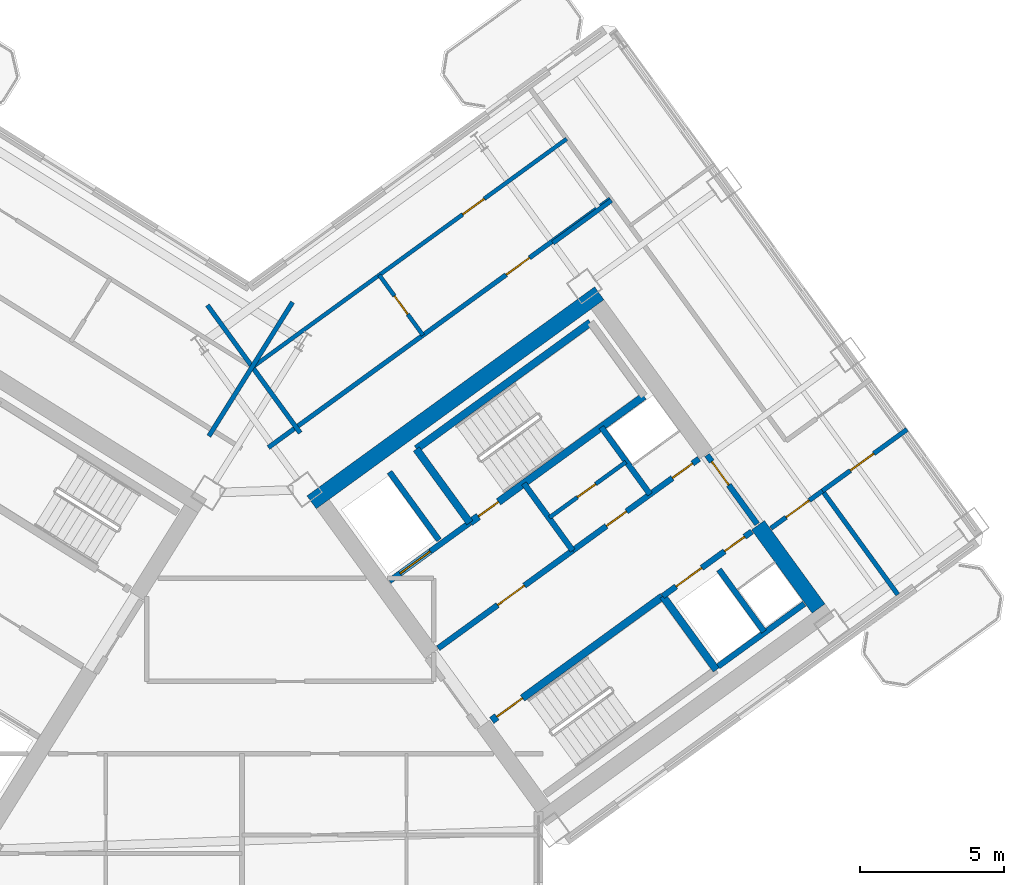
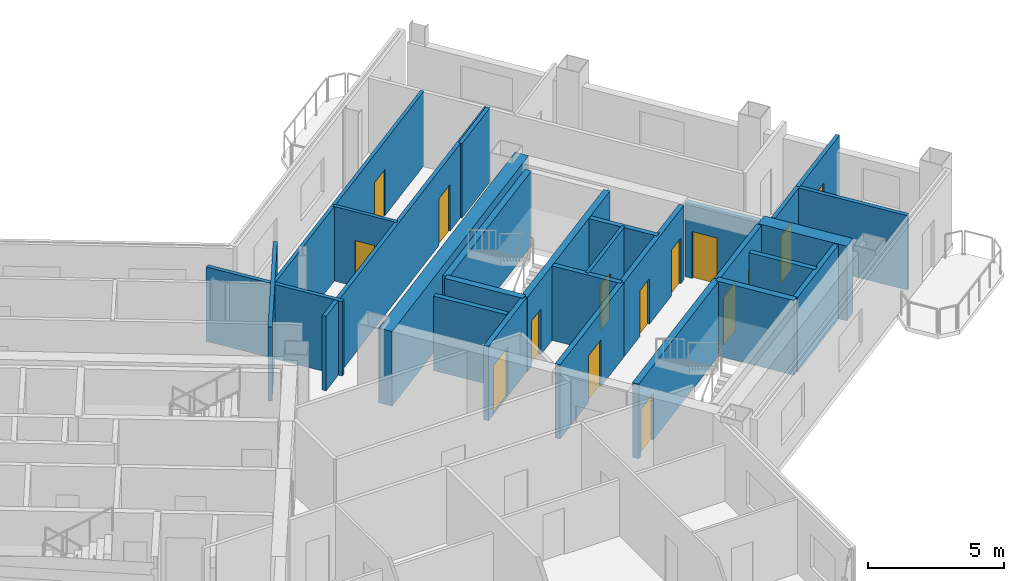
# One storey, part 14 of 21: 27 walls, 15 doors, 15 openings.
"""IFC4 building model written with IfcOpenShell, lengths in metres."""

from ifc_helpers import new_model, si_unit, direction, frame, frame_2d, origin, place, context, subcontext, project, spatial, rectangle, extrude, source, transform, mapped, material, layer, layer_set, type_object, element, fill, save


model = new_model("IFC4")

# Units and contexts
model_context = context("Model", 3, precision=1e-05, world=origin(), true_north=direction((0.0, 1.0)))
body_context = subcontext(model_context, "Body", "Model", "MODEL_VIEW")
ifc_project = project(units=[si_unit("LENGTHUNIT", "METRE"), si_unit("AREAUNIT", "SQUARE_METRE"), si_unit("VOLUMEUNIT", "CUBIC_METRE"), si_unit("PLANEANGLEUNIT", "RADIAN"), si_unit("MASSUNIT", "GRAM", prefix="KILO")], contexts=[model_context])

# Site, building, storey
site_placement = place(None, origin())
site = spatial("IfcSite", under=ifc_project, at=site_placement, CompositionType="ELEMENT")
building_placement = place(site_placement, origin())
building = spatial("IfcBuilding", under=site, at=building_placement, Name="Tlacorven Tower", CompositionType="ELEMENT")
storey_placement = place(building_placement, frame((0.0, 0.0, 119.699951171875)))
storey = spatial("IfcBuildingStorey", under=building, at=storey_placement, Name="L30", CompositionType="ELEMENT", Elevation=119.699951171875)

# Walls
ifc_material_1 = material(Name="Concrete C60/75", Category="concrete")
ifc_layer_1 = layer(ifc_material_1, 0.550048828125)
ifc_layer_set_1 = layer_set([ifc_layer_1], Name="Concrete C60/75")
wall_type_1 = type_object("IfcWallType", Name="WL-COR-550", PredefinedType="SHEAR", material=ifc_layer_set_1)
wall_1_placement = place(storey_placement, frame((44.364990234375, 24.142333984375, 0.0), z_axis=(0.0, 0.0, 1.0), x_axis=(0.809024304885, 0.587775190107, 0.0)))
element("IfcWall", 1, at=wall_1_placement, inside=storey, type_object=wall_type_1, Name="L30 E core shear wall S2", PredefinedType="SHEAR", context=body_context, shape_type="SweptSolid", body=[
    extrude(rectangle(XDim=12.340087890625, YDim=0.550048828125, at=frame_2d((6.169921875, 0.0))), origin(), (0.0, 0.0, 1.0), 3.35009765625),
])
wall_2_placement = place(storey_placement, frame((61.9580078125, 20.453857421875, 0.0), z_axis=(0.0, 0.0, 1.0), x_axis=(-0.587802113096, 0.809004744015, 0.0)))
element("IfcWall", 2, at=wall_2_placement, inside=storey, type_object=wall_type_1, Name="L30 E core end wall E2.1", PredefinedType="SHEAR", context=body_context, shape_type="SweptSolid", body=[
    extrude(rectangle(XDim=3.574951171875, YDim=0.550048828125, at=frame_2d((1.78759765625, 0.0))), origin(), (0.0, 0.0, 1.0), 3.35009765625),
])
ifc_material_2 = material(Name="Gypsum plasterboard acoustic partition", Category="gypsum")
ifc_layer_2 = layer(ifc_material_2, 0.159912109375)
ifc_layer_set_2 = layer_set([ifc_layer_2], Name="Gypsum plasterboard acoustic partition")
wall_type_2 = type_object("IfcWallType", Name="WL-DEM-160", PredefinedType="PARTITIONING", material=ifc_layer_set_2)
wall_3_placement = place(storey_placement, frame((43.70361328125, 31.086181640625, 0.0), z_axis=(0.0, 0.0, 1.0), x_axis=(-0.529906828443, -0.848055866774, 0.0)))
element("IfcWall", 3, at=wall_3_placement, inside=storey, type_object=wall_type_2, Name="L30 WC West Throat Wall", PredefinedType="PARTITIONING", context=body_context, shape_type="SweptSolid", body=[
    extrude(rectangle(XDim=5.479736328125, YDim=0.159912109375, at=frame_2d((2.73974609375, 0.0))), origin(), (0.0, 0.0, 1.0), 3.340087890625),
])

# Wall, opening, door
wall_4_placement = place(storey_placement, frame((60.306884765625, 23.240478515625, 0.0), z_axis=(0.0, 0.0, 1.0), x_axis=(0.80898466188, 0.58782975158, 0.0)))
wall_4 = element("IfcWall", 4, at=wall_4_placement, inside=storey, type_object=wall_type_2, Name="L30 partition 87", PredefinedType="PARTITIONING", context=body_context, shape_type="SweptSolid", body=[
    extrude(rectangle(XDim=2.207763671875, YDim=0.159912109375, at=frame_2d((1.10400390625, 0.0))), origin(), (0.0, 0.0, 1.0), 3.340087890625),
])
opening_1_placement = place(wall_4_placement, frame((0.64794921875, 0.0, 0.0)))
opening_1 = element("IfcOpeningElement", 5, at=opening_1_placement, cuts=wall_4, Name="Opening D11", PredefinedType="OPENING", context=body_context, shape_type="SweptSolid", body=[
    extrude(rectangle(XDim=1.0, YDim=2.10009765625, at=frame_2d((0.5, 1.050048828125))), frame((0.0, 0.08984375, 0.0), z_axis=(0.0, -1.0, 0.0), x_axis=(1.0, 0.0, 0.0)), (0.0, 0.0, 1.0), 0.179931640625),
])
ifc_material_3 = material(Name="Fire-rated steel door assembly", Category="steel")
door_type_1 = type_object("IfcDoorType", Name="DR-FLT-FD60-1000", OperationType="NOTDEFINED", PredefinedType="DOOR", material=ifc_material_3)
shared_shape_1 = source(origin(), body_context, "Body", "SweptSolid", [
    extrude(rectangle(XDim=1.0, YDim=2.10009765625, at=frame_2d((0.5, 1.050048828125))), frame((0.0, 0.02490234375, 0.0), z_axis=(0.0, -1.0, 0.0), x_axis=(1.0, 0.0, 0.0)), (0.0, 0.0, 1.0), 0.050048828125),
])
door_1_placement = place(opening_1_placement, frame((1.0, 0.0, 0.0), z_axis=(0.0, 0.0, 1.0), x_axis=(-1.0, 0.0, 0.0)))
door_1 = element("IfcDoor", 6, at=door_1_placement, inside=storey, type_object=door_type_1, Name="L30 door 056", OperationType="SINGLE_SWING_LEFT", OverallHeight=2.10009765625, OverallWidth=1.0, PredefinedType="DOOR", context=body_context, shape_type="MappedRepresentation", body=[
    mapped(shared_shape_1, transform((0.0, 0.0, 0.0), scale=1.0)),
])
fill(opening_1, door_1)

# Walls
wall_5_placement = place(storey_placement, frame((52.73876953125, 33.143310546875, 0.0), z_axis=(0.0, 0.0, 1.0), x_axis=(0.809000999347, 0.58780726693, 0.0)))
element("IfcWall", 7, at=wall_5_placement, inside=storey, type_object=wall_type_2, Name="L30 partition 88", PredefinedType="PARTITIONING", context=body_context, shape_type="SweptSolid", body=[
    extrude(rectangle(XDim=2.510009765625, YDim=0.159912109375, at=frame_2d((1.2548828125, 0.0))), origin(), (0.0, 0.0, 1.0), 3.340087890625),
])
wall_6_placement = place(storey_placement, frame((64.708740234375, 20.93798828125, 0.0), z_axis=(0.0, 0.0, 1.0), x_axis=(-0.587773666605, 0.809025411743, 0.0)))
element("IfcWall", 8, at=wall_6_placement, inside=storey, type_object=wall_type_2, Name="L30 partition 89", PredefinedType="PARTITIONING", context=body_context, shape_type="SweptSolid", body=[
    extrude(rectangle(XDim=4.4501953125, YDim=0.159912109375, at=frame_2d((2.22509765625, 0.0))), origin(), (0.0, 0.0, 1.0), 3.340087890625),
])

# Wall, opening, door
wall_7_placement = place(storey_placement, frame((62.093017578125, 24.538330078125, 0.0), z_axis=(0.0, 0.0, 1.0), x_axis=(0.809035546126, 0.58775971715, 0.0)))
wall_7 = element("IfcWall", 9, at=wall_7_placement, inside=storey, type_object=wall_type_2, Name="L30 partition 92", PredefinedType="PARTITIONING", context=body_context, shape_type="SweptSolid", body=[
    extrude(rectangle(XDim=3.6298828125, YDim=0.159912109375, at=frame_2d((1.81494140625, 0.0))), origin(), (0.0, 0.0, 1.0), 3.340087890625),
])
opening_2_placement = place(wall_7_placement, frame((1.199951171875, 0.0, 0.0)))
opening_2 = element("IfcOpeningElement", 10, at=opening_2_placement, cuts=wall_7, Name="Opening D11", PredefinedType="OPENING", context=body_context, shape_type="SweptSolid", body=[
    extrude(rectangle(XDim=1.0, YDim=2.10009765625, at=frame_2d((0.5, 1.050048828125))), frame((0.0, 0.08984375, 0.0), z_axis=(0.0, -1.0, 0.0), x_axis=(1.0, 0.0, 0.0)), (0.0, 0.0, 1.0), 0.179931640625),
])
door_2_placement = place(opening_2_placement, frame((1.0, 0.0, 0.0), z_axis=(0.0, 0.0, 1.0), x_axis=(-1.0, 0.0, 0.0)))
door_2 = element("IfcDoor", 11, at=door_2_placement, inside=storey, type_object=door_type_1, Name="L30 door 060", OperationType="SINGLE_SWING_LEFT", OverallHeight=2.10009765625, OverallWidth=1.0, PredefinedType="DOOR", context=body_context, shape_type="MappedRepresentation", body=[
    mapped(shared_shape_1, transform((0.0, 0.0, 0.0), scale=1.0)),
])
fill(opening_2, door_2)

wall_8_placement = place(storey_placement, frame((42.86572265625, 26.04443359375, 0.0), z_axis=(0.0, 0.0, 1.0), x_axis=(0.809020254154, 0.587780765566, 0.0)))
wall_8 = element("IfcWall", 12, at=wall_8_placement, inside=storey, type_object=wall_type_2, Name="L30 partition 95", PredefinedType="PARTITIONING", context=body_context, shape_type="SweptSolid", body=[
    extrude(rectangle(XDim=14.670166015625, YDim=0.159912109375, at=frame_2d((7.3349609375, 0.0))), origin(), (0.0, 0.0, 1.0), 3.340087890625),
])
opening_3_placement = place(wall_8_placement, frame((10.199951171875, 0.0, 0.0)))
opening_3 = element("IfcOpeningElement", 13, at=opening_3_placement, cuts=wall_8, Name="Opening D11", PredefinedType="OPENING", context=body_context, shape_type="SweptSolid", body=[
    extrude(rectangle(XDim=1.0, YDim=2.10009765625, at=frame_2d((0.5, 1.050048828125))), frame((0.0, 0.08984375, 0.0), z_axis=(0.0, -1.0, 0.0), x_axis=(1.0, 0.0, 0.0)), (0.0, 0.0, 1.0), 0.179931640625),
])
door_3_placement = place(opening_3_placement, origin())
door_3 = element("IfcDoor", 14, at=door_3_placement, inside=storey, type_object=door_type_1, Name="L30 door 061", OperationType="SINGLE_SWING_RIGHT", OverallHeight=2.10009765625, OverallWidth=1.0, PredefinedType="DOOR", context=body_context, shape_type="MappedRepresentation", body=[
    mapped(shared_shape_1, transform((0.0, 0.0, 0.0), scale=1.0)),
])
fill(opening_3, door_3)

# Wall
wall_9_placement = place(storey_placement, frame((43.969482421875, 26.549560546875, 0.0), z_axis=(0.0, 0.0, 1.0), x_axis=(-0.587776919386, 0.80902304852, 0.0)))
element("IfcWall", 15, at=wall_9_placement, inside=storey, type_object=wall_type_2, Name="L30 EC West Throat Wall", PredefinedType="PARTITIONING", context=body_context, shape_type="SweptSolid", body=[
    extrude(rectangle(XDim=5.47998046875, YDim=0.159912109375, at=frame_2d((2.739990234375, 0.0))), origin(), (0.0, 0.0, 1.0), 3.340087890625),
])

# Wall, opening, door
ifc_material_4 = material(Name="Moisture-resistant gypsum plumbing wall", Category="gypsum")
ifc_layer_3 = layer(ifc_material_4, 0.139892578125)
ifc_layer_set_3 = layer_set([ifc_layer_3], Name="Moisture-resistant gypsum plumbing wall")
wall_type_3 = type_object("IfcWallType", Name="WL-PLM-140", PredefinedType="PLUMBINGWALL", material=ifc_layer_set_3)
wall_10_placement = place(storey_placement, frame((52.617919921875, 23.612060546875, 0.0), z_axis=(0.0, 0.0, 1.0), x_axis=(0.809009587469, 0.587795446889, 0.0)))
wall_10 = element("IfcWall", 16, at=wall_10_placement, inside=storey, type_object=wall_type_3, Name="L30 partition 41", PredefinedType="PLUMBINGWALL", context=body_context, shape_type="SweptSolid", body=[
    extrude(rectangle(XDim=3.280029296875, YDim=0.139892578125, at=frame_2d((1.64013671875, 0.0))), origin(), (0.0, 0.0, 1.0), 3.340087890625),
])
opening_4_placement = place(wall_10_placement, frame((1.199951171875, 0.0, 0.0)))
opening_4 = element("IfcOpeningElement", 17, at=opening_4_placement, cuts=wall_10, Name="Opening D22", PredefinedType="OPENING", context=body_context, shape_type="SweptSolid", body=[
    extrude(rectangle(XDim=0.780029296875, YDim=2.050048828125, at=frame_2d((0.39013671875, 1.02490234375))), frame((0.0, 0.080078125, 0.0), z_axis=(0.0, -1.0, 0.0), x_axis=(1.0, 0.0, 0.0)), (0.0, 0.0, 1.0), 0.159912109375),
])
ifc_material_5 = material(Name="Powder-coated aluminium and timber door", Category="wood")
door_type_2 = type_object("IfcDoorType", Name="DR-INT-WET-0780", OperationType="NOTDEFINED", PredefinedType="DOOR", material=ifc_material_5)
shared_shape_2 = source(origin(), body_context, "Body", "SweptSolid", [
    extrude(rectangle(XDim=0.780029296875, YDim=2.050048828125, at=frame_2d((0.39013671875, 1.02490234375))), frame((0.0, 0.02490234375, 0.0), z_axis=(0.0, -1.0, 0.0), x_axis=(1.0, 0.0, 0.0)), (0.0, 0.0, 1.0), 0.050048828125),
])
door_4_placement = place(opening_4_placement, origin())
door_4 = element("IfcDoor", 18, at=door_4_placement, inside=storey, type_object=door_type_2, Name="L30 door 019", OperationType="SINGLE_SWING_LEFT", OverallHeight=2.050048828125, OverallWidth=0.780029296875, PredefinedType="DOOR", context=body_context, shape_type="MappedRepresentation", body=[
    mapped(shared_shape_2, transform((0.0, 0.0, 0.0), scale=1.0)),
])
fill(opening_4, door_4)

wall_11_placement = place(storey_placement, frame((42.376708984375, 28.878173828125, 0.0), z_axis=(0.0, 0.0, 1.0), x_axis=(0.809020411523, 0.587780548963, 0.0)))
wall_11 = element("IfcWall", 19, at=wall_11_placement, inside=storey, type_object=wall_type_3, Name="L30 partition 97", PredefinedType="PLUMBINGWALL", context=body_context, shape_type="SweptSolid", body=[
    extrude(rectangle(XDim=13.39990234375, YDim=0.139892578125, at=frame_2d((6.699951171875, 0.0))), origin(), (0.0, 0.0, 1.0), 3.340087890625),
])
opening_5_placement = place(wall_11_placement, frame((8.93994140625, 0.0, 0.0)))
opening_5 = element("IfcOpeningElement", 20, at=opening_5_placement, cuts=wall_11, Name="Opening D12", PredefinedType="OPENING", context=body_context, shape_type="SweptSolid", body=[
    extrude(rectangle(XDim=0.919921875, YDim=2.080078125, at=frame_2d((0.4599609375, 1.0400390625))), frame((0.0, 0.080078125, 0.0), z_axis=(0.0, -1.0, 0.0), x_axis=(1.0, 0.0, 0.0)), (0.0, 0.0, 1.0), 0.159912109375),
])
door_type_3 = type_object("IfcDoorType", Name="DR-INT-ROOM-0920", OperationType="NOTDEFINED", PredefinedType="DOOR", material=ifc_material_5)
shared_shape_3 = source(origin(), body_context, "Body", "SweptSolid", [
    extrude(rectangle(XDim=0.919921875, YDim=2.080078125, at=frame_2d((0.4599609375, 1.0400390625))), frame((0.0, 0.02490234375, 0.0), z_axis=(0.0, -1.0, 0.0), x_axis=(1.0, 0.0, 0.0)), (0.0, 0.0, 1.0), 0.050048828125),
])
door_5_placement = place(opening_5_placement, origin())
door_5 = element("IfcDoor", 21, at=door_5_placement, inside=storey, type_object=door_type_3, Name="L30 door 062", OperationType="SINGLE_SWING_LEFT", OverallHeight=2.080078125, OverallWidth=0.919921875, PredefinedType="DOOR", context=body_context, shape_type="MappedRepresentation", body=[
    mapped(shared_shape_3, transform((0.0, 0.0, 0.0), scale=1.0)),
])
fill(opening_5, door_5)

wall_12_placement = place(storey_placement, frame((48.2294921875, 29.94140625, 0.0), z_axis=(0.0, 0.0, 1.0), x_axis=(-0.587772116736, 0.809026537752, 0.0)))
wall_12 = element("IfcWall", 22, at=wall_12_placement, inside=storey, type_object=wall_type_3, Name="L30 partition 98", PredefinedType="PLUMBINGWALL", context=body_context, shape_type="SweptSolid", body=[
    extrude(rectangle(XDim=2.579833984375, YDim=0.139892578125, at=frame_2d((1.2900390625, 0.0))), origin(), (0.0, 0.0, 1.0), 3.340087890625),
])
opening_6_placement = place(wall_12_placement, frame((0.89990234375, 0.0, 0.0)))
opening_6 = element("IfcOpeningElement", 23, at=opening_6_placement, cuts=wall_12, Name="Opening D22", PredefinedType="OPENING", context=body_context, shape_type="SweptSolid", body=[
    extrude(rectangle(XDim=0.780029296875, YDim=2.050048828125, at=frame_2d((0.39013671875, 1.02490234375))), frame((0.0, 0.080078125, 0.0), z_axis=(0.0, -1.0, 0.0), x_axis=(1.0, 0.0, 0.0)), (0.0, 0.0, 1.0), 0.159912109375),
])
door_6_placement = place(opening_6_placement, origin())
door_6 = element("IfcDoor", 24, at=door_6_placement, inside=storey, type_object=door_type_2, Name="L30 door 063", OperationType="SINGLE_SWING_RIGHT", OverallHeight=2.050048828125, OverallWidth=0.780029296875, PredefinedType="DOOR", context=body_context, shape_type="MappedRepresentation", body=[
    mapped(shared_shape_2, transform((0.0, 0.0, 0.0), scale=1.0)),
])
fill(opening_6, door_6)

ifc_material_6 = material(Name="Concrete C40/50", Category="concrete")
ifc_layer_4 = layer(ifc_material_6, 0.199951171875)
ifc_layer_set_4 = layer_set([ifc_layer_4], Name="Concrete C40/50")
wall_type_4 = type_object("IfcWallType", Name="WL-SHF-200", PredefinedType="STANDARD", material=ifc_layer_set_4)
wall_13_placement = place(storey_placement, frame((47.0654296875, 21.4072265625, 0.0), z_axis=(0.0, 0.0, 1.0), x_axis=(0.809032984992, 0.587763242466, 0.0)))
wall_13 = element("IfcWall", 25, at=wall_13_placement, inside=storey, type_object=wall_type_4, Name="L30 Core E Firefighting Lift Shaft Front Wall", PredefinedType="STANDARD", context=body_context, shape_type="SweptSolid", body=[
    extrude(rectangle(XDim=3.447998046875, YDim=0.199951171875, at=frame_2d((1.72412109375, 0.0))), origin(), (0.0, 0.0, 1.0), 3.340087890625),
])
opening_7_placement = place(wall_13_placement, frame((0.4580078125, 0.0, 0.0)))
opening_7 = element("IfcOpeningElement", 26, at=opening_7_placement, cuts=wall_13, Name="Opening LD03", PredefinedType="OPENING", context=body_context, shape_type="SweptSolid", body=[
    extrude(rectangle(XDim=1.300048828125, YDim=2.199951171875, at=frame_2d((0.64990234375, 1.10009765625))), frame((0.0, 0.10986328125, 0.0), z_axis=(0.0, -1.0, 0.0), x_axis=(1.0, 0.0, 0.0)), (0.0, 0.0, 1.0), 0.219970703125),
])
door_type_4 = type_object("IfcDoorType", Name="DR-LFT-SLID-1300", OperationType="DOUBLE_DOOR_SLIDING", PredefinedType="DOOR", material=ifc_material_3)
shared_shape_4 = source(origin(), body_context, "Body", "SweptSolid", [
    extrude(rectangle(XDim=1.300048828125, YDim=2.199951171875, at=frame_2d((0.64990234375, 1.10009765625))), frame((0.0, 0.02490234375, 0.0), z_axis=(0.0, -1.0, 0.0), x_axis=(1.0, 0.0, 0.0)), (0.0, 0.0, 1.0), 0.050048828125),
])
door_7_placement = place(opening_7_placement, origin())
door_7 = element("IfcDoor", 27, at=door_7_placement, inside=storey, type_object=door_type_4, Name="L30 Lift FFL-E1 Sliding Landing Door", OperationType="DOUBLE_DOOR_SLIDING", OverallHeight=2.199951171875, OverallWidth=1.300048828125, PredefinedType="DOOR", context=body_context, shape_type="MappedRepresentation", body=[
    mapped(shared_shape_4, transform((0.0, 0.0, 0.0), scale=1.0)),
])
fill(opening_7, door_7)

wall_14_placement = place(storey_placement, frame((48.75830078125, 19.0771484375, 0.0), z_axis=(0.0, 0.0, 1.0), x_axis=(0.809005065155, 0.587801671104, 0.0)))
wall_14 = element("IfcWall", 28, at=wall_14_placement, inside=storey, type_object=wall_type_4, Name="L30 Core E Smoke Lobby Wall", PredefinedType="STANDARD", context=body_context, shape_type="SweptSolid", body=[
    extrude(rectangle(XDim=5.767822265625, YDim=0.199951171875, at=frame_2d((2.8837890625, 0.0))), origin(), (0.0, 0.0, 1.0), 3.340087890625),
])
opening_8_placement = place(wall_14_placement, frame((2.548095703125, 0.0, 0.0)))
opening_8 = element("IfcOpeningElement", 29, at=opening_8_placement, cuts=wall_14, Name="Opening D09", PredefinedType="OPENING", context=body_context, shape_type="SweptSolid", body=[
    extrude(rectangle(XDim=1.14990234375, YDim=2.10009765625, at=frame_2d((0.574951171875, 1.050048828125))), frame((0.0, 0.10986328125, 0.0), z_axis=(0.0, -1.0, 0.0), x_axis=(1.0, 0.0, 0.0)), (0.0, 0.0, 1.0), 0.219970703125),
])
door_type_5 = type_object("IfcDoorType", Name="DR-FFL-FD60-1150", OperationType="NOTDEFINED", PredefinedType="DOOR", material=ifc_material_3)
shared_shape_5 = source(origin(), body_context, "Body", "SweptSolid", [
    extrude(rectangle(XDim=1.14990234375, YDim=2.10009765625, at=frame_2d((0.574951171875, 1.050048828125))), frame((0.0, 0.02490234375, 0.0), z_axis=(0.0, -1.0, 0.0), x_axis=(1.0, 0.0, 0.0)), (0.0, 0.0, 1.0), 0.050048828125),
])
door_8_placement = place(opening_8_placement, origin())
door_8 = element("IfcDoor", 30, at=door_8_placement, inside=storey, type_object=door_type_5, Name="L30 Firefighting Lobby E Fire Door", OperationType="SINGLE_SWING_LEFT", OverallHeight=2.10009765625, OverallWidth=1.14990234375, PredefinedType="DOOR", context=body_context, shape_type="MappedRepresentation", body=[
    mapped(shared_shape_5, transform((0.0, 0.0, 0.0), scale=1.0)),
])
fill(opening_8, door_8)

# Wall, openings, doors
wall_15_placement = place(storey_placement, frame((56.552978515625, 20.884033203125, 0.0), z_axis=(0.0, 0.0, 1.0), x_axis=(0.809023564264, 0.58777620951, 0.0)))
wall_15 = element("IfcWall", 31, at=wall_15_placement, inside=storey, type_object=wall_type_4, Name="L30 Core E South Lift Shaft Wall", PredefinedType="STANDARD", context=body_context, shape_type="SweptSolid", body=[
    extrude(rectangle(XDim=3.818115234375, YDim=0.199951171875, at=frame_2d((1.9091796875, 0.0))), origin(), (0.0, 0.0, 1.0), 3.340087890625),
])
opening_9_placement = place(wall_15_placement, frame((0.570068359375, 0.0, 0.0)))
opening_9 = element("IfcOpeningElement", 32, at=opening_9_placement, cuts=wall_15, Name="Opening LD01", PredefinedType="OPENING", context=body_context, shape_type="SweptSolid", body=[
    extrude(rectangle(XDim=1.10009765625, YDim=2.14990234375, at=frame_2d((0.550048828125, 1.074951171875))), frame((0.0, 0.10986328125, 0.0), z_axis=(0.0, -1.0, 0.0), x_axis=(1.0, 0.0, 0.0)), (0.0, 0.0, 1.0), 0.219970703125),
])
opening_10_placement = place(wall_15_placement, frame((2.64990234375, 0.0, 0.0)))
opening_10 = element("IfcOpeningElement", 33, at=opening_10_placement, cuts=wall_15, Name="Opening D19", PredefinedType="OPENING", context=body_context, shape_type="SweptSolid", body=[
    extrude(rectangle(XDim=0.860107421875, YDim=2.050048828125, at=frame_2d((0.43017578125, 1.02490234375))), frame((0.0, 0.10986328125, 0.0), z_axis=(0.0, -1.0, 0.0), x_axis=(1.0, 0.0, 0.0)), (0.0, 0.0, 1.0), 0.219970703125),
])
door_type_6 = type_object("IfcDoorType", Name="DR-RSR-FD60-0860", OperationType="NOTDEFINED", PredefinedType="DOOR", material=ifc_material_3)
shared_shape_6 = source(origin(), body_context, "Body", "SweptSolid", [
    extrude(rectangle(XDim=0.860107421875, YDim=2.050048828125, at=frame_2d((0.43017578125, 1.02490234375))), frame((0.0, 0.02490234375, 0.0), z_axis=(0.0, -1.0, 0.0), x_axis=(1.0, 0.0, 0.0)), (0.0, 0.0, 1.0), 0.050048828125),
])
door_9_placement = place(opening_10_placement, origin())
door_9 = element("IfcDoor", 34, at=door_9_placement, inside=storey, type_object=door_type_6, Name="L30 Smoke Extract Riser Access Door", OperationType="SINGLE_SWING_RIGHT", OverallHeight=2.050048828125, OverallWidth=0.860107421875, PredefinedType="DOOR", context=body_context, shape_type="MappedRepresentation", body=[
    mapped(shared_shape_6, transform((0.0, 0.0, 0.0), scale=1.0)),
])
fill(opening_10, door_9)
door_type_7 = type_object("IfcDoorType", Name="DR-LFT-SLID-1100", OperationType="DOUBLE_DOOR_SLIDING", PredefinedType="DOOR", material=ifc_material_3)
shared_shape_7 = source(origin(), body_context, "Body", "SweptSolid", [
    extrude(rectangle(XDim=1.10009765625, YDim=2.14990234375, at=frame_2d((0.550048828125, 1.074951171875))), frame((0.0, 0.02490234375, 0.0), z_axis=(0.0, -1.0, 0.0), x_axis=(1.0, 0.0, 0.0)), (0.0, 0.0, 1.0), 0.050048828125),
])
door_10_placement = place(opening_9_placement, origin())
door_10 = element("IfcDoor", 35, at=door_10_placement, inside=storey, type_object=door_type_7, Name="L30 Lift PL-M4 Sliding Landing Door", OperationType="DOUBLE_DOOR_SLIDING", OverallHeight=2.14990234375, OverallWidth=1.10009765625, PredefinedType="DOOR", context=body_context, shape_type="MappedRepresentation", body=[
    mapped(shared_shape_7, transform((0.0, 0.0, 0.0), scale=1.0)),
])
fill(opening_9, door_10)

# Walls
wall_16_placement = place(storey_placement, frame((48.78564453125, 22.830078125, 0.0), z_axis=(0.0, 0.0, 1.0), x_axis=(-0.587783856777, 0.809018008275, 0.0)))
element("IfcWall", 36, at=wall_16_placement, inside=storey, type_object=wall_type_4, Name="L30 partition 33", PredefinedType="STANDARD", context=body_context, shape_type="SweptSolid", body=[
    extrude(rectangle(XDim=2.919921875, YDim=0.199951171875, at=frame_2d((1.4599609375, 0.0))), origin(), (0.0, 0.0, 1.0), 3.340087890625),
])
wall_17_placement = place(storey_placement, frame((60.066650390625, 19.654541015625, 0.0), z_axis=(0.0, 0.0, 1.0), x_axis=(-0.587800520745, 0.809005900975, 0.0)))
element("IfcWall", 37, at=wall_17_placement, inside=storey, type_object=wall_type_4, Name="L30 partition 34", PredefinedType="STANDARD", context=body_context, shape_type="SweptSolid", body=[
    extrude(rectangle(XDim=2.659912109375, YDim=0.199951171875, at=frame_2d((1.330078125, 0.0))), origin(), (0.0, 0.0, 1.0), 3.340087890625),
])
wall_18_placement = place(storey_placement, frame((58.47216796875, 18.446533203125, 0.0), z_axis=(0.0, 0.0, 1.0), x_axis=(0.809018631237, 0.587782999339, 0.0)))
element("IfcWall", 38, at=wall_18_placement, inside=storey, type_object=wall_type_4, Name="L30 partition 36", PredefinedType="STANDARD", context=body_context, shape_type="SweptSolid", body=[
    extrude(rectangle(XDim=3.697998046875, YDim=0.199951171875, at=frame_2d((1.84912109375, 0.0))), origin(), (0.0, 0.0, 1.0), 3.340087890625),
])
wall_19_placement = place(storey_placement, frame((53.424560546875, 22.467529296875, 0.0), z_axis=(0.0, 0.0, 1.0), x_axis=(-0.5877230039, 0.809062216821, 0.0)))
element("IfcWall", 39, at=wall_19_placement, inside=storey, type_object=wall_type_4, Name="L30 partition 38", PredefinedType="STANDARD", context=body_context, shape_type="SweptSolid", body=[
    extrude(rectangle(XDim=2.8798828125, YDim=0.199951171875, at=frame_2d((1.43994140625, 0.0))), origin(), (0.0, 0.0, 1.0), 3.340087890625),
])
wall_20_placement = place(storey_placement, frame((56.110595703125, 24.4189453125, 0.0), z_axis=(0.0, 0.0, 1.0), x_axis=(-0.58777848983, 0.809021907548, 0.0)))
element("IfcWall", 40, at=wall_20_placement, inside=storey, type_object=wall_type_4, Name="L30 partition 39", PredefinedType="STANDARD", context=body_context, shape_type="SweptSolid", body=[
    extrude(rectangle(XDim=2.880126953125, YDim=0.199951171875, at=frame_2d((1.43994140625, 0.0))), origin(), (0.0, 0.0, 1.0), 3.340087890625),
])

# Wall, openings, doors
wall_21_placement = place(storey_placement, frame((53.424560546875, 22.467529296875, 0.0), z_axis=(0.0, 0.0, 1.0), x_axis=(0.809024377198, 0.587775090574, 0.0)))
wall_21 = element("IfcWall", 41, at=wall_21_placement, inside=storey, type_object=wall_type_4, Name="L30 Core E North Service Wall", PredefinedType="STANDARD", context=body_context, shape_type="SweptSolid", body=[
    extrude(rectangle(XDim=5.41796875, YDim=0.199951171875, at=frame_2d((2.708984375, 0.0))), origin(), (0.0, 0.0, 1.0), 3.340087890625),
])
opening_11_placement = place(wall_21_placement, frame((4.280029296875, 0.0, 0.0)))
opening_11 = element("IfcOpeningElement", 42, at=opening_11_placement, cuts=wall_21, Name="Opening D19", PredefinedType="OPENING", context=body_context, shape_type="SweptSolid", body=[
    extrude(rectangle(XDim=0.860107421875, YDim=2.050048828125, at=frame_2d((0.43017578125, 1.02490234375))), frame((0.0, 0.10986328125, 0.0), z_axis=(0.0, -1.0, 0.0), x_axis=(1.0, 0.0, 0.0)), (0.0, 0.0, 1.0), 0.219970703125),
])
opening_12_placement = place(wall_21_placement, frame((1.449951171875, 0.0, 0.0)))
opening_12 = element("IfcOpeningElement", 43, at=opening_12_placement, cuts=wall_21, Name="Opening D19", PredefinedType="OPENING", context=body_context, shape_type="SweptSolid", body=[
    extrude(rectangle(XDim=0.860107421875, YDim=2.050048828125, at=frame_2d((0.43017578125, 1.02490234375))), frame((0.0, 0.10986328125, 0.0), z_axis=(0.0, -1.0, 0.0), x_axis=(1.0, 0.0, 0.0)), (0.0, 0.0, 1.0), 0.219970703125),
])
door_11_placement = place(opening_11_placement, frame((0.860107421875, 0.0, 0.0), z_axis=(0.0, 0.0, 1.0), x_axis=(-1.0, 0.0, 0.0)))
door_11 = element("IfcDoor", 44, at=door_11_placement, inside=storey, type_object=door_type_6, Name="L30 Electrical Riser Access Door E", OperationType="SINGLE_SWING_LEFT", OverallHeight=2.050048828125, OverallWidth=0.860107421875, PredefinedType="DOOR", context=body_context, shape_type="MappedRepresentation", body=[
    mapped(shared_shape_6, transform((0.0, 0.0, 0.0), scale=1.0)),
])
fill(opening_11, door_11)
door_12_placement = place(opening_12_placement, frame((0.860107421875, 0.0, 0.0), z_axis=(0.0, 0.0, 1.0), x_axis=(-1.0, 0.0, 0.0)))
door_12 = element("IfcDoor", 45, at=door_12_placement, inside=storey, type_object=door_type_6, Name="L30 Cleaner Store Access Door E", OperationType="SINGLE_SWING_RIGHT", OverallHeight=2.050048828125, OverallWidth=0.860107421875, PredefinedType="DOOR", context=body_context, shape_type="MappedRepresentation", body=[
    mapped(shared_shape_6, transform((0.0, 0.0, 0.0), scale=1.0)),
])
fill(opening_12, door_12)

# Wall, opening, door
wall_22_placement = place(storey_placement, frame((59.827392578125, 23.386474609375, 0.0), z_axis=(0.0, 0.0, 1.0), x_axis=(-0.587803840107, 0.809003489211, 0.0)))
wall_22 = element("IfcWall", 46, at=wall_22_placement, inside=storey, type_object=wall_type_4, Name="L30 partition 86", PredefinedType="STANDARD", context=body_context, shape_type="SweptSolid", body=[
    extrude(rectangle(XDim=2.960205078125, YDim=0.199951171875, at=frame_2d((1.47998046875, 0.0))), origin(), (0.0, 0.0, 1.0), 3.340087890625),
])
opening_13_placement = place(wall_22_placement, frame((1.679931640625, 0.0, 0.0)))
opening_13 = element("IfcOpeningElement", 47, at=opening_13_placement, cuts=wall_22, Name="Opening D11", PredefinedType="OPENING", context=body_context, shape_type="SweptSolid", body=[
    extrude(rectangle(XDim=1.0, YDim=2.10009765625, at=frame_2d((0.5, 1.050048828125))), frame((0.0, 0.10986328125, 0.0), z_axis=(0.0, -1.0, 0.0), x_axis=(1.0, 0.0, 0.0)), (0.0, 0.0, 1.0), 0.219970703125),
])
door_13_placement = place(opening_13_placement, origin())
door_13 = element("IfcDoor", 48, at=door_13_placement, inside=storey, type_object=door_type_1, Name="L30 door 057", OperationType="SINGLE_SWING_RIGHT", OverallHeight=2.10009765625, OverallWidth=1.0, PredefinedType="DOOR", context=body_context, shape_type="MappedRepresentation", body=[
    mapped(shared_shape_1, transform((0.0, 0.0, 0.0), scale=1.0)),
])
fill(opening_13, door_13)

# Wall
ifc_material_7 = material(Name="Concrete C50/60", Category="concrete")
ifc_layer_5 = layer(ifc_material_7, 0.260009765625)
ifc_layer_set_5 = layer_set([ifc_layer_5], Name="Concrete C50/60")
wall_type_5 = type_object("IfcWallType", Name="WL-STW-260", PredefinedType="SHEAR", material=ifc_layer_set_5)
wall_23_placement = place(storey_placement, frame((48.005615234375, 25.996337890625, 0.0), z_axis=(0.0, 0.0, 1.0), x_axis=(0.80901903764, 0.587782439969, 0.0)))
element("IfcWall", 49, at=wall_23_placement, inside=storey, type_object=wall_type_5, Name="L30 Stair E1 Far Shear Wall", PredefinedType="SHEAR", context=body_context, shape_type="SweptSolid", body=[
    extrude(rectangle(XDim=7.4599609375, YDim=0.260009765625, at=frame_2d((3.72998046875, 0.0))), origin(), (0.0, 0.0, 1.0), 3.35009765625),
])

# Wall, opening, door
wall_24_placement = place(storey_placement, frame((49.863037109375, 23.439697265625, 0.0), z_axis=(0.0, 0.0, 1.0), x_axis=(0.809003474932, 0.587803859759, 0.0)))
wall_24 = element("IfcWall", 50, at=wall_24_placement, inside=storey, type_object=wall_type_5, Name="L30 Stair E1 Lobby Shear Wall", PredefinedType="SHEAR", context=body_context, shape_type="SweptSolid", body=[
    extrude(rectangle(XDim=7.4599609375, YDim=0.260009765625, at=frame_2d((3.72998046875, 0.0))), origin(), (0.0, 0.0, 1.0), 3.35009765625),
])
opening_14_placement = place(wall_24_placement, frame((0.360107421875, 0.0, 0.0)))
opening_14 = element("IfcOpeningElement", 51, at=opening_14_placement, cuts=wall_24, Name="Opening D19", PredefinedType="OPENING", context=body_context, shape_type="SweptSolid", body=[
    extrude(rectangle(XDim=0.860107421875, YDim=2.050048828125, at=frame_2d((0.43017578125, 1.02490234375))), frame((0.0, 0.14013671875, 0.0), z_axis=(0.0, -1.0, 0.0), x_axis=(1.0, 0.0, 0.0)), (0.0, 0.0, 1.0), 0.280029296875),
])
door_14_placement = place(opening_14_placement, frame((0.860107421875, 0.0, 0.0), z_axis=(0.0, 0.0, 1.0), x_axis=(-1.0, 0.0, 0.0)))
door_14 = element("IfcDoor", 52, at=door_14_placement, inside=storey, type_object=door_type_6, Name="L30 Exit Stair E1 Fire Door", OperationType="SINGLE_SWING_LEFT", OverallHeight=2.050048828125, OverallWidth=0.860107421875, PredefinedType="DOOR", context=body_context, shape_type="MappedRepresentation", body=[
    mapped(shared_shape_6, transform((0.0, 0.0, 0.0), scale=1.0)),
])
fill(opening_14, door_14)

# Wall
wall_25_placement = place(storey_placement, frame((49.85498046875, 23.433837890625, 0.0), z_axis=(0.0, 0.0, 1.0), x_axis=(-0.58776738483, 0.809029975545, 0.0)))
element("IfcWall", 53, at=wall_25_placement, inside=storey, type_object=wall_type_5, Name="L30 Stair E1 West Shear Wall", PredefinedType="SHEAR", context=body_context, shape_type="SweptSolid", body=[
    extrude(rectangle(XDim=3.16015625, YDim=0.260009765625, at=frame_2d((1.580078125, 0.0))), origin(), (0.0, 0.0, 1.0), 3.35009765625),
])

# Wall, opening, door
wall_26_placement = place(storey_placement, frame((50.61474609375, 16.569580078125, 0.0), z_axis=(0.0, 0.0, 1.0), x_axis=(0.809028366311, 0.587769599847, 0.0)))
wall_26 = element("IfcWall", 54, at=wall_26_placement, inside=storey, type_object=wall_type_5, Name="L30 Stair E2 Lobby Shear Wall", PredefinedType="SHEAR", context=body_context, shape_type="SweptSolid", body=[
    extrude(rectangle(XDim=7.330078125, YDim=0.260009765625, at=frame_2d((3.6650390625, 0.0))), origin(), (0.0, 0.0, 1.0), 3.35009765625),
])
opening_15_placement = place(wall_26_placement, frame((0.219970703125, 0.0, 0.0)))
opening_15 = element("IfcOpeningElement", 55, at=opening_15_placement, cuts=wall_26, Name="Opening D07", PredefinedType="OPENING", context=body_context, shape_type="SweptSolid", body=[
    extrude(rectangle(XDim=1.10009765625, YDim=2.10009765625, at=frame_2d((0.550048828125, 1.050048828125))), frame((0.0, 0.14013671875, 0.0), z_axis=(0.0, -1.0, 0.0), x_axis=(1.0, 0.0, 0.0)), (0.0, 0.0, 1.0), 0.280029296875),
])
door_type_8 = type_object("IfcDoorType", Name="DR-STR-FD90-1100", OperationType="NOTDEFINED", PredefinedType="DOOR", material=ifc_material_3)
shared_shape_8 = source(origin(), body_context, "Body", "SweptSolid", [
    extrude(rectangle(XDim=1.10009765625, YDim=2.10009765625, at=frame_2d((0.550048828125, 1.050048828125))), frame((0.0, 0.02490234375, 0.0), z_axis=(0.0, -1.0, 0.0), x_axis=(1.0, 0.0, 0.0)), (0.0, 0.0, 1.0), 0.050048828125),
])
door_15_placement = place(opening_15_placement, origin())
door_15 = element("IfcDoor", 56, at=door_15_placement, inside=storey, type_object=door_type_8, Name="L30 Exit Stair E2 Fire Door", OperationType="SINGLE_SWING_RIGHT", OverallHeight=2.10009765625, OverallWidth=1.10009765625, PredefinedType="DOOR", context=body_context, shape_type="MappedRepresentation", body=[
    mapped(shared_shape_8, transform((0.0, 0.0, 0.0), scale=1.0)),
])
fill(opening_15, door_15)

# Wall
wall_27_placement = place(storey_placement, frame((58.410400390625, 18.327392578125, 0.0), z_axis=(0.0, 0.0, 1.0), x_axis=(-0.58776738483, 0.809029975545, 0.0)))
element("IfcWall", 57, at=wall_27_placement, inside=storey, type_object=wall_type_5, Name="L30 Stair E2 East Shear Wall", PredefinedType="SHEAR", context=body_context, shape_type="SweptSolid", body=[
    extrude(rectangle(XDim=3.16015625, YDim=0.260009765625, at=frame_2d((1.580078125, 0.0))), origin(), (0.0, 0.0, 1.0), 3.35009765625),
])

save(model, "model.ifc")
